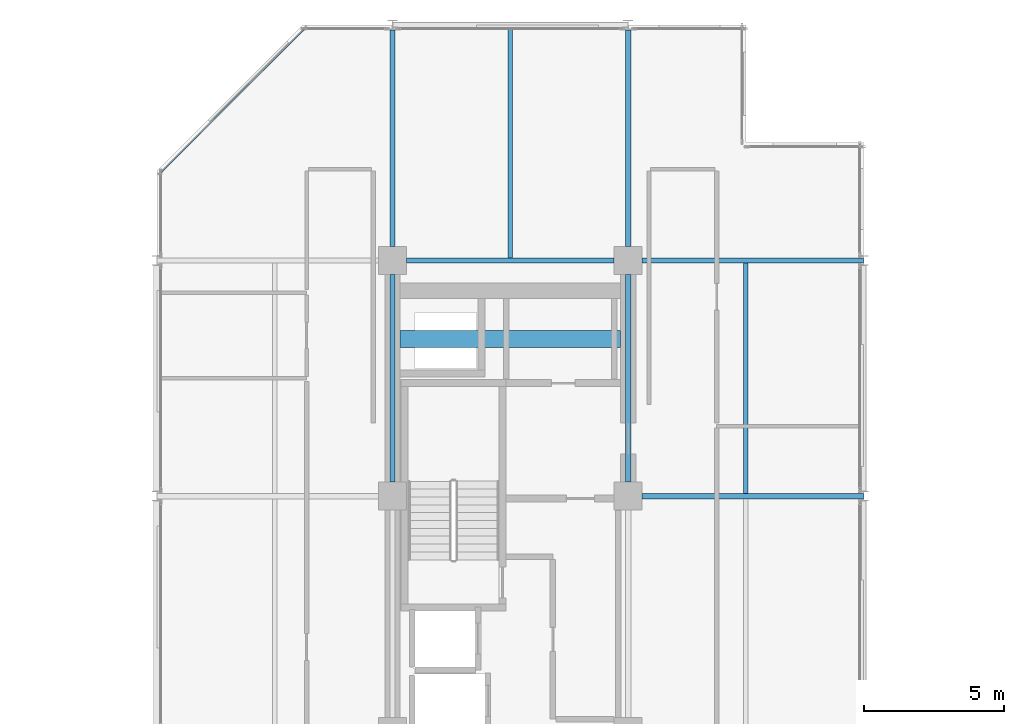
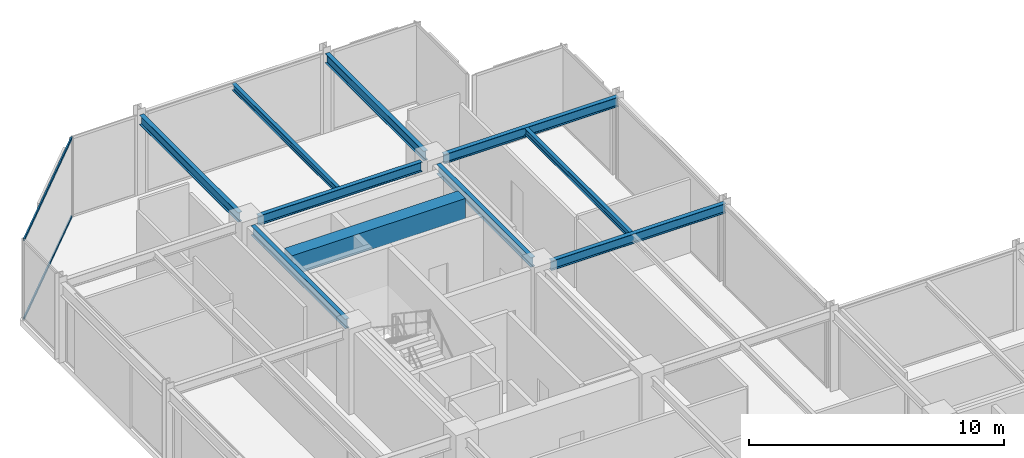
# One storey, part 18 of 29: 10 beams, 2 members, 1 element without a shape of its own.
"""IFC4 building model written with IfcOpenShell, lengths in metres."""

from ifc_helpers import new_model, si_unit, direction, frame, origin, origin_2d, place, context, subcontext, project, spatial, rectangle, hollow_rectangle, i_section, extrude, material, layer, layer_set, material_profile, profile_set, type_object, element, aggregate, save


model = new_model("IFC4")

# Units and contexts
model_context = context("Model", 3, precision=1e-05, world=origin(), true_north=direction((0.0, 1.0)))
body_context = subcontext(model_context, "Body", "Model", "MODEL_VIEW")
ifc_project = project(units=[si_unit("LENGTHUNIT", "METRE"), si_unit("AREAUNIT", "SQUARE_METRE"), si_unit("VOLUMEUNIT", "CUBIC_METRE"), si_unit("PLANEANGLEUNIT", "RADIAN"), si_unit("MASSUNIT", "GRAM", prefix="KILO")], contexts=[model_context])

# Site, building, storey
site_placement = place(None, origin())
site = spatial("IfcSite", under=ifc_project, at=site_placement, CompositionType="ELEMENT")
building_placement = place(site_placement, origin())
building = spatial("IfcBuilding", under=site, at=building_placement, Name="Nerrivon Quay Data Exchange", CompositionType="ELEMENT")
storey_placement = place(building_placement, frame((0.0, 0.0, 196.0)))
storey = spatial("IfcBuildingStorey", under=building, at=storey_placement, Name="L46", CompositionType="ELEMENT", Elevation=196.0)

# Beams
ifc_material_1 = material(Name="Concrete N50 (50 MPa)", Category="concrete")
ifc_material_profile_1 = material_profile(ifc_material_1, rectangle(XDim=0.60009765625, YDim=0.949951171875, at=origin_2d()), Name="RC-CB-600x950")
ifc_profile_set_1 = profile_set([ifc_material_profile_1], Name="Concrete N50 (50 MPa)")
beam_type_1 = type_object("IfcBeamType", Name="BM-CB2-600x950", PredefinedType="LINTEL", material=ifc_profile_set_1)
beam_1_placement = place(storey_placement, frame((8.675048828125, 39.199951171875, 3.35009765625), z_axis=(1.0, 0.0, 0.0), x_axis=(0.0, 1.0, 0.0)))
element("IfcBeam", 1, at=beam_1_placement, inside=storey, type_object=beam_type_1, Name="L46 West Core Coupling Beam", PredefinedType="LINTEL", context=body_context, shape_type="SweptSolid", body=[
    extrude(rectangle(XDim=0.60009765625, YDim=0.949951171875, at=origin_2d()), origin(), (0.0, 0.0, 1.0), 7.849853515625),
])
ifc_material_2 = material(Name="Steel Grade 350", Category="steel")
ifc_material_profile_2 = material_profile(ifc_material_2, i_section(OverallWidth=0.19091796875, OverallDepth=0.4599609375, WebThickness=0.010009765625, FlangeThickness=0.01611328125, FilletRadius=0.011474609375, at=origin_2d()), Name="460UB82.1")
ifc_profile_set_2 = profile_set([ifc_material_profile_2], Name="Steel Grade 350")
beam_type_2 = type_object("IfcBeamType", Name="BM-G5-460UB82", PredefinedType="BEAM", material=ifc_profile_set_2)
beam_2_placement = place(storey_placement, frame((17.300048828125, 33.60009765625, 3.594970703125), z_axis=(1.0, 0.0, 0.0), x_axis=(0.0, 1.0, 0.0)))
element("IfcBeam", 2, at=beam_2_placement, inside=storey, type_object=beam_type_2, Name="L46 EW Girder Y=33.6 (16.8..25.2)", PredefinedType="BEAM", context=body_context, shape_type="SweptSolid", body=[
    extrude(i_section(OverallWidth=0.19091796875, OverallDepth=0.4599609375, WebThickness=0.010009765625, FlangeThickness=0.01611328125, FilletRadius=0.011474609375, at=origin_2d()), origin(), (0.0, 0.0, 1.0), 7.889892578125),
])
beam_3_placement = place(storey_placement, frame((8.89990234375, 42.0, 3.594970703125), z_axis=(1.0, 0.0, 0.0), x_axis=(0.0, 1.0, 0.0)))
element("IfcBeam", 3, at=beam_3_placement, inside=storey, type_object=beam_type_2, Name="L46 EW Girder Y=42.0 (8.4..16.8)", PredefinedType="BEAM", context=body_context, shape_type="SweptSolid", body=[
    extrude(i_section(OverallWidth=0.19091796875, OverallDepth=0.4599609375, WebThickness=0.010009765625, FlangeThickness=0.01611328125, FilletRadius=0.011474609375, at=origin_2d()), origin(), (0.0, 0.0, 1.0), 7.400146484375),
])
beam_4_placement = place(storey_placement, frame((17.300048828125, 42.0, 3.594970703125), z_axis=(1.0, 0.0, 0.0), x_axis=(0.0, 1.0, 0.0)))
element("IfcBeam", 4, at=beam_4_placement, inside=storey, type_object=beam_type_2, Name="L46 EW Girder Y=42.0 (16.8..25.2)", PredefinedType="BEAM", context=body_context, shape_type="SweptSolid", body=[
    extrude(i_section(OverallWidth=0.19091796875, OverallDepth=0.4599609375, WebThickness=0.010009765625, FlangeThickness=0.01611328125, FilletRadius=0.011474609375, at=origin_2d()), origin(), (0.0, 0.0, 1.0), 7.889892578125),
])
ifc_material_profile_3 = material_profile(ifc_material_2, i_section(OverallWidth=0.18994140625, OverallDepth=0.4541015625, WebThickness=0.008544921875, FlangeThickness=0.0126953125, FilletRadius=0.011474609375, at=origin_2d()), Name="460UB67.1")
ifc_profile_set_3 = profile_set([ifc_material_profile_3], Name="Steel Grade 350")
beam_type_3 = type_object("IfcBeamType", Name="BM-G6-460UB67", PredefinedType="BEAM", material=ifc_profile_set_3)
beam_5_placement = place(storey_placement, frame((8.39990234375, 34.10009765625, 3.597900390625), z_axis=(0.0, 1.0, 0.0), x_axis=(-1.0, 0.0, 0.0)))
element("IfcBeam", 5, at=beam_5_placement, inside=storey, type_object=beam_type_3, Name="L46 NS Girder X=8.4 (33.6..42.0)", PredefinedType="BEAM", context=body_context, shape_type="SweptSolid", body=[
    extrude(i_section(OverallWidth=0.18994140625, OverallDepth=0.4541015625, WebThickness=0.008544921875, FlangeThickness=0.0126953125, FilletRadius=0.011474609375, at=origin_2d()), origin(), (0.0, 0.0, 1.0), 7.39990234375),
])
beam_6_placement = place(storey_placement, frame((8.39990234375, 42.5, 3.597900390625), z_axis=(0.0, 1.0, 0.0), x_axis=(-1.0, 0.0, 0.0)))
element("IfcBeam", 6, at=beam_6_placement, inside=storey, type_object=beam_type_3, Name="L46 NS Girder X=8.4 (42.0..50.4)", PredefinedType="BEAM", context=body_context, shape_type="SweptSolid", body=[
    extrude(i_section(OverallWidth=0.18994140625, OverallDepth=0.4541015625, WebThickness=0.008544921875, FlangeThickness=0.0126953125, FilletRadius=0.011474609375, at=origin_2d()), origin(), (0.0, 0.0, 1.0), 7.72509765625),
])
beam_7_placement = place(storey_placement, frame((16.800048828125, 34.10009765625, 3.597900390625), z_axis=(0.0, 1.0, 0.0), x_axis=(-1.0, 0.0, 0.0)))
element("IfcBeam", 7, at=beam_7_placement, inside=storey, type_object=beam_type_3, Name="L46 NS Girder X=16.8 (33.6..42.0)", PredefinedType="BEAM", context=body_context, shape_type="SweptSolid", body=[
    extrude(i_section(OverallWidth=0.18994140625, OverallDepth=0.4541015625, WebThickness=0.008544921875, FlangeThickness=0.0126953125, FilletRadius=0.011474609375, at=origin_2d()), origin(), (0.0, 0.0, 1.0), 7.39990234375),
])
beam_8_placement = place(storey_placement, frame((16.800048828125, 42.5, 3.597900390625), z_axis=(0.0, 1.0, 0.0), x_axis=(-1.0, 0.0, 0.0)))
element("IfcBeam", 8, at=beam_8_placement, inside=storey, type_object=beam_type_3, Name="L46 NS Girder X=16.8 (42.0..50.4)", PredefinedType="BEAM", context=body_context, shape_type="SweptSolid", body=[
    extrude(i_section(OverallWidth=0.18994140625, OverallDepth=0.4541015625, WebThickness=0.008544921875, FlangeThickness=0.0126953125, FilletRadius=0.011474609375, at=origin_2d()), origin(), (0.0, 0.0, 1.0), 7.72509765625),
])
ifc_material_profile_4 = material_profile(ifc_material_2, i_section(OverallWidth=0.166015625, OverallDepth=0.306884765625, WebThickness=0.006591796875, FlangeThickness=0.01171875, FilletRadius=0.011474609375, at=origin_2d()), Name="310UB46.2")
ifc_profile_set_4 = profile_set([ifc_material_profile_4], Name="Steel Grade 350")
beam_type_4 = type_object("IfcBeamType", Name="BM-J5-310UB46", PredefinedType="JOIST", material=ifc_profile_set_4)
beam_9_placement = place(storey_placement, frame((12.60009765625, 42.095458984375, 3.67138671875), z_axis=(0.0, 1.0, 0.0), x_axis=(-1.0, 0.0, 0.0)))
element("IfcBeam", 9, at=beam_9_placement, inside=storey, type_object=beam_type_4, Name="L46 Secondary Joist X=12.6 (42.0..50.4)", PredefinedType="JOIST", context=body_context, shape_type="SweptSolid", body=[
    extrude(i_section(OverallWidth=0.166015625, OverallDepth=0.306884765625, WebThickness=0.006591796875, FlangeThickness=0.01171875, FilletRadius=0.011474609375, at=origin_2d()), origin(), (0.0, 0.0, 1.0), 8.20458984375),
])
beam_10_placement = place(storey_placement, frame((21.0, 33.695556640625, 3.67138671875), z_axis=(0.0, 1.0, 0.0), x_axis=(-1.0, 0.0, 0.0)))
element("IfcBeam", 10, at=beam_10_placement, inside=storey, type_object=beam_type_4, Name="L46 Secondary Joist X=21.0 (33.6..42.0)", PredefinedType="JOIST", context=body_context, shape_type="SweptSolid", body=[
    extrude(i_section(OverallWidth=0.166015625, OverallDepth=0.306884765625, WebThickness=0.006591796875, FlangeThickness=0.01171875, FilletRadius=0.011474609375, at=origin_2d()), origin(), (0.0, 0.0, 1.0), 8.208984375),
])

# Curtain wall, members
ifc_material_3 = material(Name="Anodised aluminium 6063-T6", Category="aluminium")
ifc_layer = layer(ifc_material_3, 0.195068359375)
ifc_layer_set = layer_set([ifc_layer], Name="Anodised aluminium 6063-T6")
curtain_wall_type = type_object("IfcCurtainWallType", Name="CW-SYS-06", PredefinedType="NOTDEFINED", material=ifc_layer_set)
curtain_wall_placement = place(storey_placement, origin())
curtain_wall = element("IfcCurtainWall", 11, at=curtain_wall_placement, inside=storey, type_object=curtain_wall_type, Name="L46 Unitised Curtain Wall 7", PredefinedType="NOTDEFINED")
ifc_material_profile_5 = material_profile(ifc_material_3, hollow_rectangle(XDim=0.06005859375, YDim=0.1201171875, WallThickness=0.003173828125, at=origin_2d()), Name="ALU-TRAN-120x60")
ifc_profile_set_5 = profile_set([ifc_material_profile_5], Name="Anodised aluminium 6063-T6")
member_type = type_object("IfcMemberType", Name="CWT-120x60", PredefinedType="USERDEFINED", material=ifc_profile_set_5)
member_1_placement = place(storey_placement, frame((0.152099609375, 45.154052734375, 0.032470703125), z_axis=(0.707089835771, 0.707123726196, 0.0), x_axis=(-0.707123726196, 0.707089835771, 0.0)))
member_1 = element("IfcMember", 12, at=member_1_placement, type_object=member_type, Name="CW06 transom 1.1", ObjectType="TRANSOM", PredefinedType="USERDEFINED", context=body_context, shape_type="SweptSolid", body=[
    extrude(hollow_rectangle(XDim=0.06005859375, YDim=0.1201171875, WallThickness=0.003173828125, at=origin_2d()), origin(), (0.0, 0.0, 1.0), 7.203857421875),
])
member_2_placement = place(storey_placement, frame((0.152099609375, 45.154052734375, 3.79248046875), z_axis=(0.707089835771, 0.707123726196, 0.0), x_axis=(-0.707123726196, 0.707089835771, 0.0)))
member_2 = element("IfcMember", 13, at=member_2_placement, type_object=member_type, Name="CW06 transom 1.2", ObjectType="TRANSOM", PredefinedType="USERDEFINED", context=body_context, shape_type="SweptSolid", body=[
    extrude(hollow_rectangle(XDim=0.06005859375, YDim=0.1201171875, WallThickness=0.003173828125, at=origin_2d()), origin(), (0.0, 0.0, 1.0), 7.203857421875),
])
aggregate(curtain_wall, [member_1, member_2])

save(model, "model.ifc")
